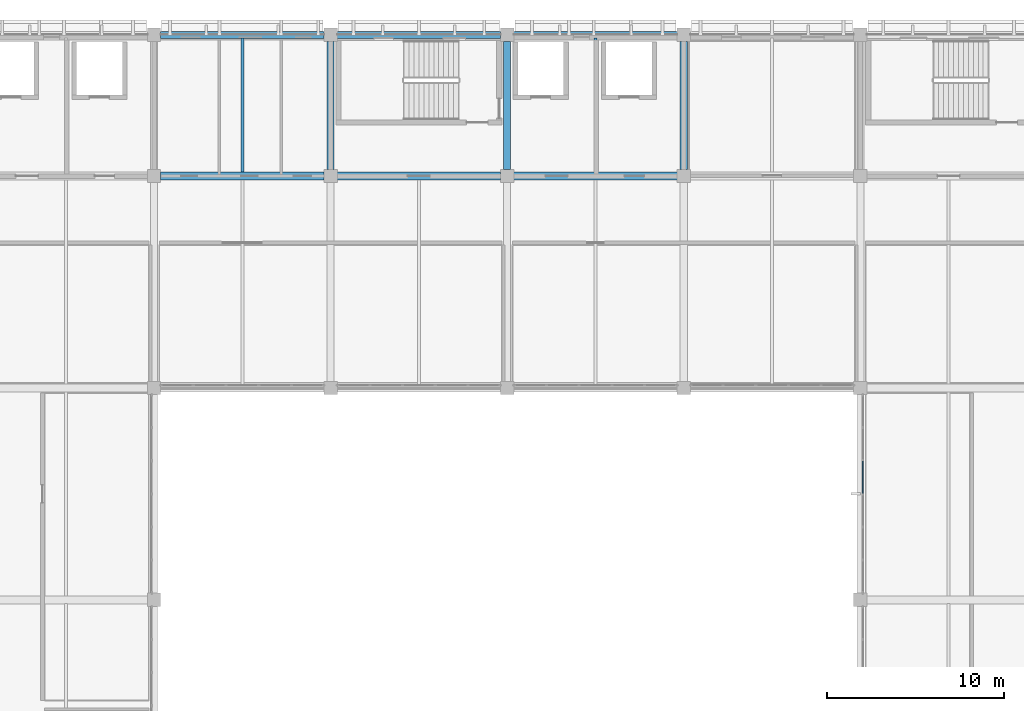
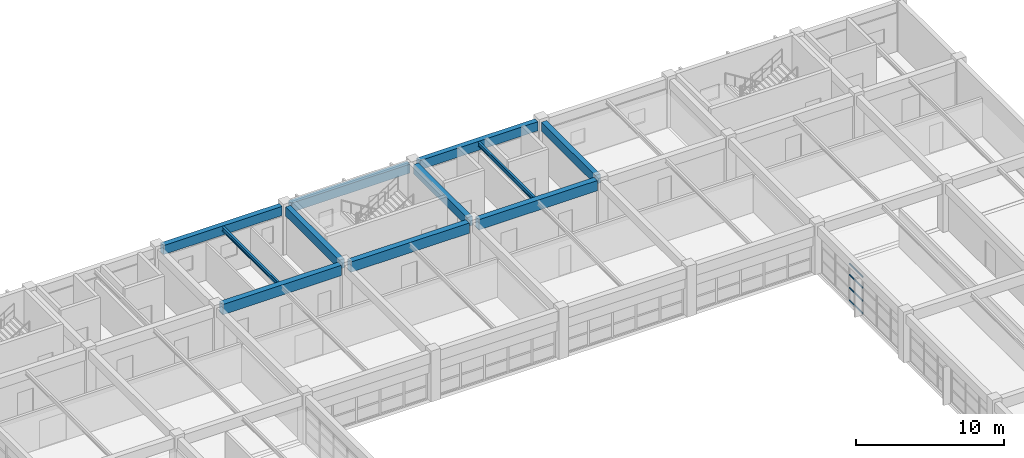
# One storey, part 40 of 83: 11 beams, 4 members, 1 element without a shape of its own.
"""IFC4 building model written with IfcOpenShell, lengths in metres."""

from ifc_helpers import new_model, si_unit, direction, frame, origin, origin_2d, place, context, subcontext, project, spatial, rectangle, i_section, extrude, material, layer, layer_set, material_profile, profile_set, type_object, element, aggregate, save


model = new_model("IFC4")

# Units and contexts
model_context = context("Model", 3, precision=1e-05, world=origin(), true_north=direction((0.0, 1.0)))
body_context = subcontext(model_context, "Body", "Model", "MODEL_VIEW")
ifc_project = project(units=[si_unit("LENGTHUNIT", "METRE"), si_unit("AREAUNIT", "SQUARE_METRE"), si_unit("VOLUMEUNIT", "CUBIC_METRE"), si_unit("PLANEANGLEUNIT", "RADIAN"), si_unit("MASSUNIT", "GRAM", prefix="KILO")], contexts=[model_context])

# Site, building, storey
site_placement = place(None, origin())
site = spatial("IfcSite", under=ifc_project, at=site_placement, CompositionType="ELEMENT")
building_placement = place(site_placement, origin())
building = spatial("IfcBuilding", under=site, at=building_placement, Name="Kivolera Central Railway Station", CompositionType="ELEMENT")
storey_placement = place(building_placement, frame((0.0, 0.0, 14.39990234375)))
storey = spatial("IfcBuildingStorey", under=building, at=storey_placement, Name="L03", CompositionType="ELEMENT", Elevation=14.39990234375)

# Beams
ifc_material_1 = material(Name="Steel S355", Category="steel")
ifc_material_profile_1 = material_profile(ifc_material_1, i_section(OverallWidth=0.169921875, OverallDepth=0.360107421875, WebThickness=0.008056640625, FlangeThickness=0.0126953125, FilletRadius=0.01806640625, at=origin_2d()), Name="IPE 360")
ifc_profile_set_1 = profile_set([ifc_material_profile_1], Name="Steel S355")
beam_type_1 = type_object("IfcBeamType", Name="BM-JST-IPE360", PredefinedType="JOIST", material=ifc_profile_set_1)
for number, where, z_axis, x_axis, name in (
    (1, (143.0, 126.217041015625, 3.748046875), (0.0, 1.0, 0.0), (-1.0, 0.0, 0.0), "L03 Floor Joist 14-15/L-M"),
    (2, (163.0, 126.217041015625, 3.748046875), (0.0, 1.0, 0.0), (-1.0, 0.0, 0.0), "L03 Floor Joist 16-17/L-M"),
):
    element("IfcBeam", number, at=place(storey_placement, frame(where, z_axis=z_axis, x_axis=x_axis)), inside=storey, type_object=beam_type_1, Name=name, PredefinedType="JOIST", context=body_context, shape_type="SweptSolid", body=[
        extrude(i_section(OverallWidth=0.169921875, OverallDepth=0.360107421875, WebThickness=0.008056640625, FlangeThickness=0.0126953125, FilletRadius=0.01806640625, at=origin_2d()), origin(), (0.0, 0.0, 1.0), 7.591064453125),
    ])
ifc_material_2 = material(Name="Concrete C40/50", Category="concrete")
ifc_material_profile_2 = material_profile(ifc_material_2, rectangle(XDim=0.39990234375, YDim=0.75, at=origin_2d()), Name="RC 400x750")
ifc_profile_set_2 = profile_set([ifc_material_profile_2], Name="Concrete C40/50")
beam_type_2 = type_object("IfcBeamType", Name="BM-RC-400x750", PredefinedType="BEAM", material=ifc_profile_set_2)
for number, where, z_axis, x_axis, name in (
    (3, (148.0, 126.366943359375, 3.565185546875), (0.0, 1.0, 0.0), (-1.0, 0.0, 0.0), "L03 Wing Y-Beam 15:L-M"),
    (4, (158.0, 126.366943359375, 3.565185546875), (0.0, 1.0, 0.0), (-1.0, 0.0, 0.0), "L03 Wing Y-Beam 16:L-M"),
    (5, (168.0, 126.366943359375, 3.565185546875), (0.0, 1.0, 0.0), (-1.0, 0.0, 0.0), "L03 Wing Y-Beam 17:L-M"),
):
    element("IfcBeam", number, at=place(storey_placement, frame(where, z_axis=z_axis, x_axis=x_axis)), inside=storey, type_object=beam_type_2, Name=name, PredefinedType="BEAM", context=body_context, shape_type="SweptSolid", body=[
        extrude(rectangle(XDim=0.39990234375, YDim=0.75, at=origin_2d()), origin(), (0.0, 0.0, 1.0), 7.26611328125),
    ])
ifc_material_profile_3 = material_profile(ifc_material_2, rectangle(XDim=0.449951171875, YDim=0.85009765625, at=origin_2d()), Name="RC 450x850")
ifc_profile_set_3 = profile_set([ifc_material_profile_3], Name="Concrete C40/50")
beam_type_3 = type_object("IfcBeamType", Name="BM-RC-450x850", PredefinedType="BEAM", material=ifc_profile_set_3)
for number, where, z_axis, x_axis, name in (
    (6, (138.366943359375, 126.0, 3.51513671875), (1.0, 0.0, 0.0), (0.0, 1.0, 0.0), "L03 Wing X-Beam L:14-15"),
    (7, (148.366943359375, 126.0, 3.51513671875), (1.0, 0.0, 0.0), (0.0, 1.0, 0.0), "L03 Wing X-Beam L:15-16"),
    (8, (158.366943359375, 126.0, 3.51513671875), (1.0, 0.0, 0.0), (0.0, 1.0, 0.0), "L03 Wing X-Beam L:16-17"),
):
    element("IfcBeam", number, at=place(storey_placement, frame(where, z_axis=z_axis, x_axis=x_axis)), inside=storey, type_object=beam_type_3, Name=name, PredefinedType="BEAM", context=body_context, shape_type="SweptSolid", body=[
        extrude(rectangle(XDim=0.449951171875, YDim=0.85009765625, at=origin_2d()), origin(), (0.0, 0.0, 1.0), 9.26611328125),
    ])
ifc_material_profile_4 = material_profile(ifc_material_2, rectangle(XDim=0.39990234375, YDim=0.75, at=origin_2d()), Name="RC 400x750")
ifc_profile_set_4 = profile_set([ifc_material_profile_4], Name="Concrete C40/50")
beam_type_4 = type_object("IfcBeamType", Name="BM-SPN-RC750", PredefinedType="SPANDREL", material=ifc_profile_set_4)
for number, where, z_axis, x_axis, name in (
    (9, (138.366943359375, 134.0, 3.565185546875), (1.0, 0.0, 0.0), (0.0, 1.0, 0.0), "L03 Wing X-Beam M:14-15"),
    (10, (148.366943359375, 134.0, 3.565185546875), (1.0, 0.0, 0.0), (0.0, 1.0, 0.0), "L03 Wing X-Beam M:15-16"),
    (11, (158.366943359375, 134.0, 3.565185546875), (1.0, 0.0, 0.0), (0.0, 1.0, 0.0), "L03 Wing X-Beam M:16-17"),
):
    element("IfcBeam", number, at=place(storey_placement, frame(where, z_axis=z_axis, x_axis=x_axis)), inside=storey, type_object=beam_type_4, Name=name, PredefinedType="SPANDREL", context=body_context, shape_type="SweptSolid", body=[
        extrude(rectangle(XDim=0.39990234375, YDim=0.75, at=origin_2d()), origin(), (0.0, 0.0, 1.0), 9.26611328125),
    ])

# Curtain wall, members
ifc_material_3 = material(Name="Anodised aluminium", Category="aluminium")
ifc_layer = layer(ifc_material_3, 0.179931640625, Name="Anodised aluminium")
ifc_layer_set = layer_set([ifc_layer], Name="Anodised aluminium")
curtain_wall_type = type_object("IfcCurtainWallType", Name="CW-SYS-30", PredefinedType="NOTDEFINED", material=ifc_layer_set)
curtain_wall_placement = place(storey_placement, origin())
curtain_wall = element("IfcCurtainWall", 12, at=curtain_wall_placement, inside=storey, type_object=curtain_wall_type, Name="L03 Curtain Wall CW-L03-CRTE-J", PredefinedType="NOTDEFINED")
ifc_material_profile_5 = material_profile(ifc_material_3, rectangle(XDim=0.06005859375, YDim=0.1201171875, at=origin_2d()), Name="ALU TRAN 60x120")
ifc_profile_set_5 = profile_set([ifc_material_profile_5], Name="Anodised aluminium")
member_type = type_object("IfcMemberType", Name="CWM-TRN-2", PredefinedType="USERDEFINED", material=ifc_profile_set_5)
member_1_placement = place(storey_placement, frame((178.14501953125, 108.030029296875, 0.030029296875), z_axis=(0.0, 1.0, 0.0), x_axis=(-1.0, 0.0, 0.0)))
member_1 = element("IfcMember", 13, at=member_1_placement, type_object=member_type, Name="CW-30 transom 4.1", ObjectType="TRANSOM", PredefinedType="USERDEFINED", context=body_context, shape_type="SweptSolid", body=[
    extrude(rectangle(XDim=0.06005859375, YDim=0.1201171875, at=origin_2d()), origin(), (0.0, 0.0, 1.0), 1.816650390625),
])
member_2_placement = place(storey_placement, frame((178.14501953125, 108.030029296875, 1.077392578125), z_axis=(0.0, 1.0, 0.0), x_axis=(-1.0, 0.0, 0.0)))
member_2 = element("IfcMember", 14, at=member_2_placement, type_object=member_type, Name="CW-30 transom 4.2", ObjectType="TRANSOM", PredefinedType="USERDEFINED", context=body_context, shape_type="SweptSolid", body=[
    extrude(rectangle(XDim=0.06005859375, YDim=0.1201171875, at=origin_2d()), origin(), (0.0, 0.0, 1.0), 1.816650390625),
])
member_3_placement = place(storey_placement, frame((178.14501953125, 108.030029296875, 2.15478515625), z_axis=(0.0, 1.0, 0.0), x_axis=(-1.0, 0.0, 0.0)))
member_3 = element("IfcMember", 15, at=member_3_placement, type_object=member_type, Name="CW-30 transom 4.3", ObjectType="TRANSOM", PredefinedType="USERDEFINED", context=body_context, shape_type="SweptSolid", body=[
    extrude(rectangle(XDim=0.06005859375, YDim=0.1201171875, at=origin_2d()), origin(), (0.0, 0.0, 1.0), 1.816650390625),
])
member_4_placement = place(storey_placement, frame((178.14501953125, 108.030029296875, 3.048095703125), z_axis=(0.0, 1.0, 0.0), x_axis=(-1.0, 0.0, 0.0)))
member_4 = element("IfcMember", 16, at=member_4_placement, type_object=member_type, Name="CW-30 transom 4.4", ObjectType="TRANSOM", PredefinedType="USERDEFINED", context=body_context, shape_type="SweptSolid", body=[
    extrude(rectangle(XDim=0.06005859375, YDim=0.1201171875, at=origin_2d()), origin(), (0.0, 0.0, 1.0), 1.816650390625),
])
aggregate(curtain_wall, [member_1, member_2, member_3, member_4])

save(model, "model.ifc")
